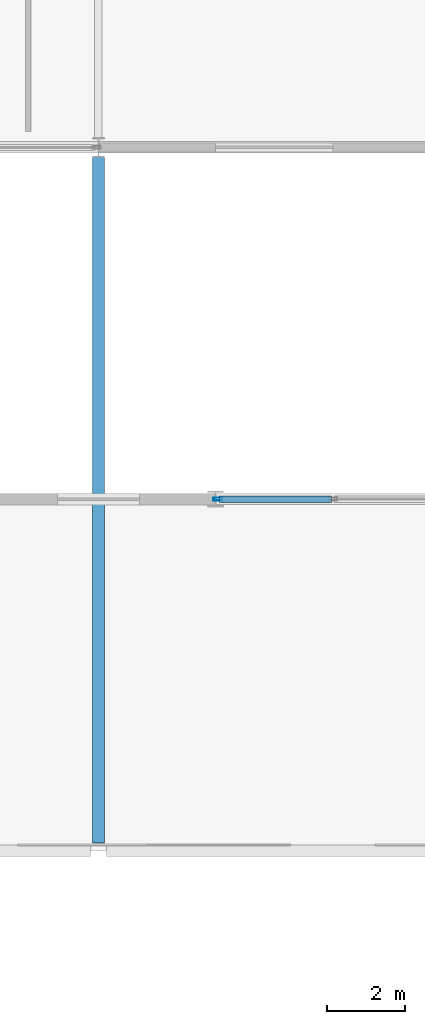
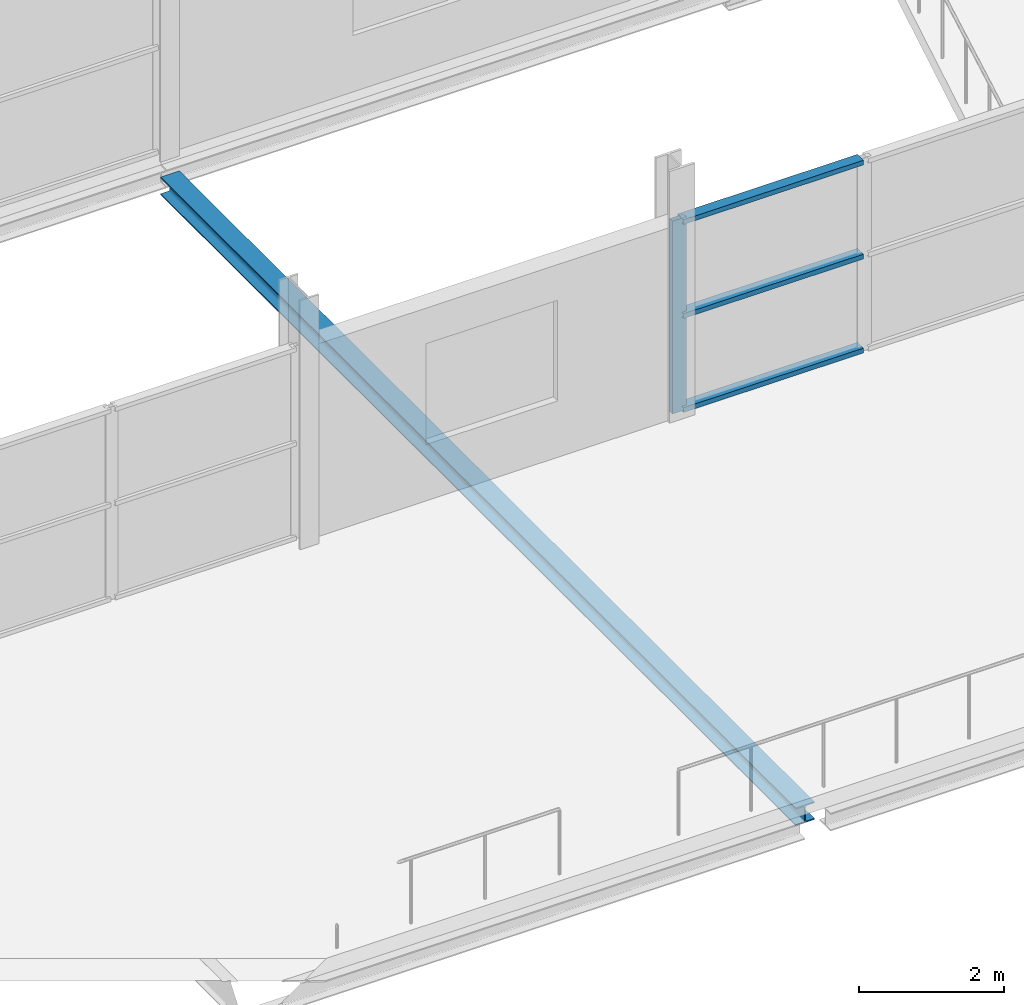
# One storey, part 42 of 135: 4 members, 1 beam, 1 element without a shape of its own.
"""IFC4 building model written with IfcOpenShell, lengths in metres."""

from ifc_helpers import new_model, si_unit, direction, frame, origin, origin_2d, place, context, subcontext, project, spatial, hollow_rectangle, i_section, extrude, material, layer, layer_set, material_profile, profile_set, type_object, element, aggregate, save


model = new_model("IFC4")

# Units and contexts
model_context = context("Model", 3, precision=1e-05, world=origin(), true_north=direction((0.0, 1.0)))
body_context = subcontext(model_context, "Body", "Model", "MODEL_VIEW")
ifc_project = project(units=[si_unit("LENGTHUNIT", "METRE"), si_unit("AREAUNIT", "SQUARE_METRE"), si_unit("VOLUMEUNIT", "CUBIC_METRE"), si_unit("PLANEANGLEUNIT", "RADIAN"), si_unit("MASSUNIT", "GRAM", prefix="KILO")], contexts=[model_context])

# Site, building, storey
site_placement = place(None, origin())
site = spatial("IfcSite", under=ifc_project, at=site_placement, CompositionType="ELEMENT")
building_placement = place(site_placement, origin())
building = spatial("IfcBuilding", under=site, at=building_placement, Name="Deido Ridge Mobility Hub", CompositionType="ELEMENT")
storey_placement = place(building_placement, frame((0.0, 0.0, 4.199951171875)))
storey = spatial("IfcBuildingStorey", under=building, at=storey_placement, Name="L01", CompositionType="ELEMENT", Elevation=4.199951171875)

# Curtain wall, members
ifc_material_1 = material(Name="Anodised aluminium EN AW-6063 T6", Category="aluminium")
ifc_layer = layer(ifc_material_1, 0.14404296875, Name="Anodised aluminium EN AW-6063 T6")
ifc_layer_set = layer_set([ifc_layer], Name="Anodised aluminium EN AW-6063 T6")
curtain_wall_type = type_object("IfcCurtainWallType", Name="CW-GS-2", PredefinedType="USERDEFINED", material=ifc_layer_set)
curtain_wall_placement = place(storey_placement, origin())
curtain_wall = element("IfcCurtainWall", 1, at=curtain_wall_placement, inside=storey, type_object=curtain_wall_type, Name="Unitised curtain wall GS2", ObjectType="GLAZED SCREEN", PredefinedType="USERDEFINED")
ifc_material_profile_1 = material_profile(ifc_material_1, hollow_rectangle(XDim=0.080078125, YDim=0.219970703125, WallThickness=0.00390625, at=origin_2d()), Name="RHS 80x220x4")
ifc_profile_set_1 = profile_set([ifc_material_profile_1], Name="Anodised aluminium EN AW-6063 T6")
member_type_1 = type_object("IfcMemberType", Name="MEM-MUL-80X220", PredefinedType="MULLION", material=ifc_profile_set_1)
member_1_placement = place(storey_placement, frame((30.052001953125, 36.0, 0.0), z_axis=(0.0, 0.0, 1.0), x_axis=(0.0, 1.0, 0.0)))
member_1 = element("IfcMember", 2, at=member_1_placement, type_object=member_type_1, Name="GS2 mullion 1", PredefinedType="MULLION", context=body_context, shape_type="SweptSolid", body=[
    extrude(hollow_rectangle(XDim=0.080078125, YDim=0.219970703125, WallThickness=0.00390625, at=origin_2d()), origin(), (0.0, 0.0, 1.0), 3.25),
])
ifc_material_profile_2 = material_profile(ifc_material_1, hollow_rectangle(XDim=0.1650390625, YDim=0.080078125, WallThickness=0.00390625, at=origin_2d()), Name="RHS 165x80x4")
ifc_profile_set_2 = profile_set([ifc_material_profile_2], Name="Anodised aluminium EN AW-6063 T6")
member_type_2 = type_object("IfcMemberType", Name="MEM-TRN-165X80", PredefinedType="USERDEFINED", material=ifc_profile_set_2)
member_2_placement = place(storey_placement, frame((30.092041015625, 36.0, 0.0400390625), z_axis=(1.0, 0.0, 0.0), x_axis=(0.0, 1.0, 0.0)))
member_2 = element("IfcMember", 3, at=member_2_placement, type_object=member_type_2, Name="GS2 transom 1.1", ObjectType="TRANSOM", PredefinedType="USERDEFINED", context=body_context, shape_type="SweptSolid", body=[
    extrude(hollow_rectangle(XDim=0.1650390625, YDim=0.080078125, WallThickness=0.00390625, at=origin_2d()), origin(), (0.0, 0.0, 1.0), 2.8701171875),
])
member_3_placement = place(storey_placement, frame((30.092041015625, 36.0, 1.625), z_axis=(1.0, 0.0, 0.0), x_axis=(0.0, 1.0, 0.0)))
member_3 = element("IfcMember", 4, at=member_3_placement, type_object=member_type_2, Name="GS2 transom 1.2", ObjectType="TRANSOM", PredefinedType="USERDEFINED", context=body_context, shape_type="SweptSolid", body=[
    extrude(hollow_rectangle(XDim=0.1650390625, YDim=0.080078125, WallThickness=0.00390625, at=origin_2d()), origin(), (0.0, 0.0, 1.0), 2.8701171875),
])
member_4_placement = place(storey_placement, frame((30.092041015625, 36.0, 3.2099609375), z_axis=(1.0, 0.0, 0.0), x_axis=(0.0, 1.0, 0.0)))
member_4 = element("IfcMember", 5, at=member_4_placement, type_object=member_type_2, Name="GS2 transom 1.3", ObjectType="TRANSOM", PredefinedType="USERDEFINED", context=body_context, shape_type="SweptSolid", body=[
    extrude(hollow_rectangle(XDim=0.1650390625, YDim=0.080078125, WallThickness=0.00390625, at=origin_2d()), origin(), (0.0, 0.0, 1.0), 2.8701171875),
])
aggregate(curtain_wall, [member_1, member_2, member_3, member_4])

# Beam
ifc_material_2 = material(Name="Steel S355J2 EN 10025-2", Category="steel")
ifc_material_profile_3 = material_profile(ifc_material_2, i_section(OverallWidth=0.300048828125, OverallDepth=0.300048828125, WebThickness=0.010986328125, FlangeThickness=0.01904296875, FilletRadius=0.027099609375, at=origin_2d()), Name="HEB 300")
ifc_profile_set_3 = profile_set([ifc_material_profile_3], Name="Steel S355J2 EN 10025-2")
beam_type = type_object("IfcBeamType", Name="SPD-HEB300", PredefinedType="SPANDREL", material=ifc_profile_set_3)
beam_placement = place(storey_placement, frame((27.0, 27.203125, -0.39990234375), z_axis=(0.0, 1.0, 0.0), x_axis=(-1.0, 0.0, 0.0)))
element("IfcBeam", 6, at=beam_placement, inside=storey, type_object=beam_type, Name="Floor beam SP1", PredefinedType="SPANDREL", context=body_context, shape_type="SweptSolid", body=[
    extrude(i_section(OverallWidth=0.300048828125, OverallDepth=0.300048828125, WebThickness=0.010986328125, FlangeThickness=0.01904296875, FilletRadius=0.027099609375, at=origin_2d()), origin(), (0.0, 0.0, 1.0), 17.546875),
])

save(model, "model.ifc")
